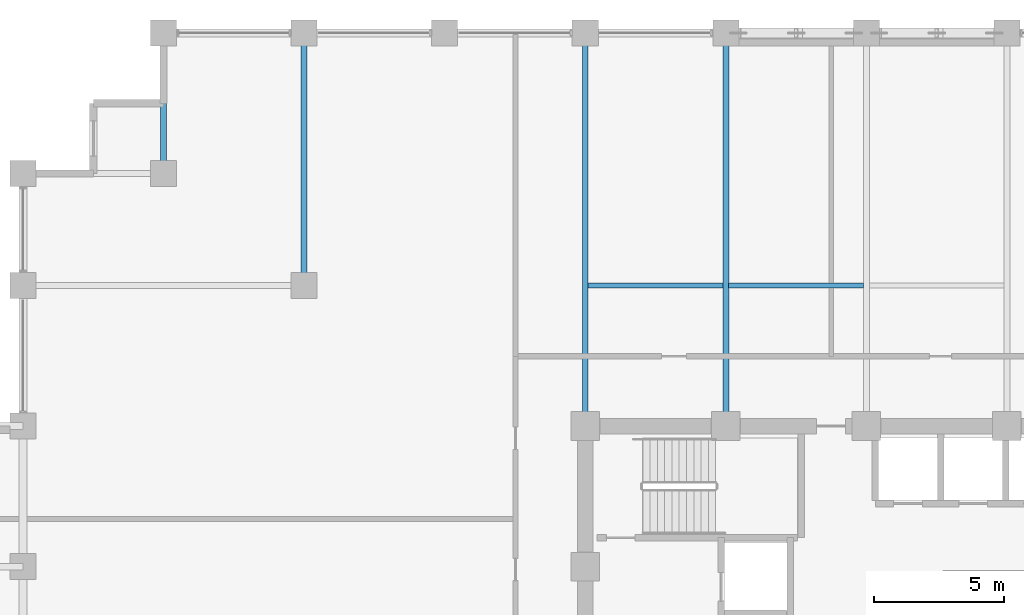
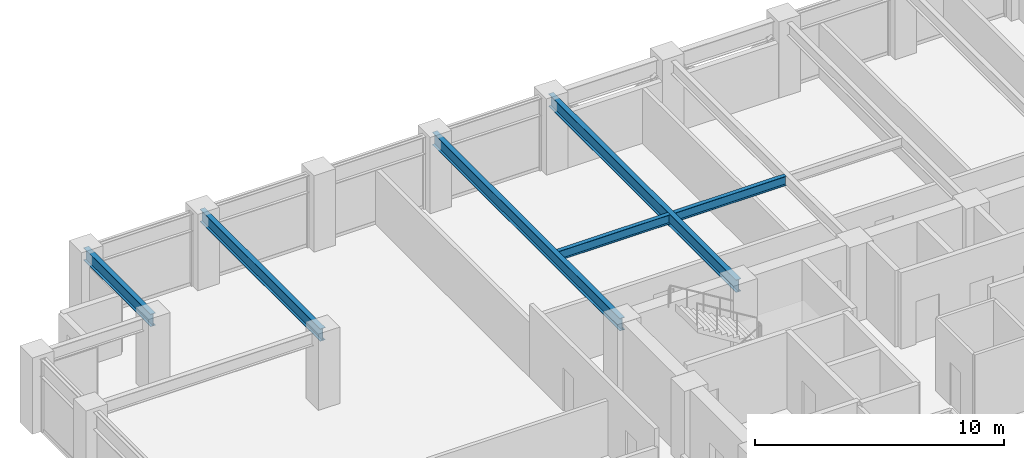
# One storey, part 11 of 25: 6 beams.
"""IFC4 building model written with IfcOpenShell, lengths in metres."""

from ifc_helpers import new_model, si_unit, direction, frame, origin, origin_2d, place, context, subcontext, project, spatial, i_section, extrude, material, material_profile, profile_set, type_object, element, save


model = new_model("IFC4")

# Units and contexts
model_context = context("Model", 3, precision=1e-05, world=origin(), true_north=direction((0.0, 1.0)))
body_context = subcontext(model_context, "Body", "Model", "MODEL_VIEW")
ifc_project = project(units=[si_unit("LENGTHUNIT", "METRE"), si_unit("AREAUNIT", "SQUARE_METRE"), si_unit("VOLUMEUNIT", "CUBIC_METRE"), si_unit("PLANEANGLEUNIT", "RADIAN"), si_unit("MASSUNIT", "GRAM", prefix="KILO")], contexts=[model_context])

# Site, building, storey
site_placement = place(None, origin())
site = spatial("IfcSite", under=ifc_project, at=site_placement, CompositionType="ELEMENT")
building_placement = place(site_placement, origin())
building = spatial("IfcBuilding", under=site, at=building_placement, Name="Surkhivell Harbour Commons", CompositionType="ELEMENT")
storey_placement = place(building_placement, frame((0.0, 0.0, 139.5)))
storey = spatial("IfcBuildingStorey", under=building, at=storey_placement, Name="L36", CompositionType="ELEMENT", Elevation=139.5)

# Beams
ifc_material = material(Name="Steel S355", Category="steel")
ifc_material_profile_1 = material_profile(ifc_material, i_section(OverallWidth=0.22998046875, OverallDepth=0.616943359375, WebThickness=0.01318359375, FlangeThickness=0.022216796875, at=origin_2d()), Name="UB610x229x140")
ifc_profile_set_1 = profile_set([ifc_material_profile_1], Name="Steel S355")
beam_type_1 = type_object("IfcBeamType", Name="BM-GRD-610B", PredefinedType="BEAM", material=ifc_profile_set_1)
beam_1_placement = place(storey_placement, frame((-27.0, 20.5, 3.261474609375), z_axis=(0.0, 1.0, 0.0), x_axis=(-1.0, 0.0, 0.0)))
element("IfcBeam", 1, at=beam_1_placement, inside=storey, type_object=beam_type_1, Name="L36 Floor Girder (-27.0,20.5)", PredefinedType="BEAM", context=body_context, shape_type="SweptSolid", body=[
    extrude(i_section(OverallWidth=0.22998046875, OverallDepth=0.616943359375, WebThickness=0.01318359375, FlangeThickness=0.022216796875, at=origin_2d()), origin(), (0.0, 0.0, 1.0), 5.39990234375),
])
beam_2_placement = place(storey_placement, frame((-21.60009765625, 16.199951171875, 3.261474609375), z_axis=(0.0, 1.0, 0.0), x_axis=(-1.0, 0.0, 0.0)))
element("IfcBeam", 2, at=beam_2_placement, inside=storey, type_object=beam_type_1, Name="L36 Floor Girder (-21.6,16.2)", PredefinedType="BEAM", context=body_context, shape_type="SweptSolid", body=[
    extrude(i_section(OverallWidth=0.22998046875, OverallDepth=0.616943359375, WebThickness=0.01318359375, FlangeThickness=0.022216796875, at=origin_2d()), origin(), (0.0, 0.0, 1.0), 9.699951171875),
])
for number, where, z_axis, x_axis, name in (
    (3, (-10.800048828125, 10.800048828125, 3.261474609375), (0.0, 1.0, 0.0), (-1.0, 0.0, 0.0), "L36 Floor Girder (-10.8,10.8)"),
    (4, (-5.39990234375, 10.800048828125, 3.261474609375), (0.0, 1.0, 0.0), (-1.0, 0.0, 0.0), "L36 Floor Girder (-5.4,10.8)"),
):
    element("IfcBeam", number, at=place(storey_placement, frame(where, z_axis=z_axis, x_axis=x_axis)), inside=storey, type_object=beam_type_1, Name=name, PredefinedType="BEAM", context=body_context, shape_type="SweptSolid", body=[
        extrude(i_section(OverallWidth=0.22998046875, OverallDepth=0.616943359375, WebThickness=0.01318359375, FlangeThickness=0.022216796875, at=origin_2d()), origin(), (0.0, 0.0, 1.0), 15.099853515625),
    ])
ifc_material_profile_2 = material_profile(ifc_material, i_section(OverallWidth=0.18994140625, OverallDepth=0.45703125, WebThickness=0.009033203125, FlangeThickness=0.014404296875, at=origin_2d()), Name="UB457x191x74")
ifc_profile_set_2 = profile_set([ifc_material_profile_2], Name="Steel S355")
beam_type_2 = type_object("IfcBeamType", Name="BM-JST-457B", PredefinedType="JOIST", material=ifc_profile_set_2)
for number, where, z_axis, x_axis, name in (
    (5, (-10.68701171875, 16.199951171875, 3.341552734375), (1.0, 0.0, 0.0), (0.0, 1.0, 0.0), "L36 North Composite Joist (-10.8)"),
    (6, (-5.287109375, 16.199951171875, 3.341552734375), (1.0, 0.0, 0.0), (0.0, 1.0, 0.0), "L36 North Composite Joist (-5.4)"),
):
    element("IfcBeam", number, at=place(storey_placement, frame(where, z_axis=z_axis, x_axis=x_axis)), inside=storey, type_object=beam_type_2, Name=name, PredefinedType="JOIST", context=body_context, shape_type="SweptSolid", body=[
        extrude(i_section(OverallWidth=0.18994140625, OverallDepth=0.45703125, WebThickness=0.009033203125, FlangeThickness=0.014404296875, at=origin_2d()), origin(), (0.0, 0.0, 1.0), 5.174072265625),
    ])

save(model, "model.ifc")
